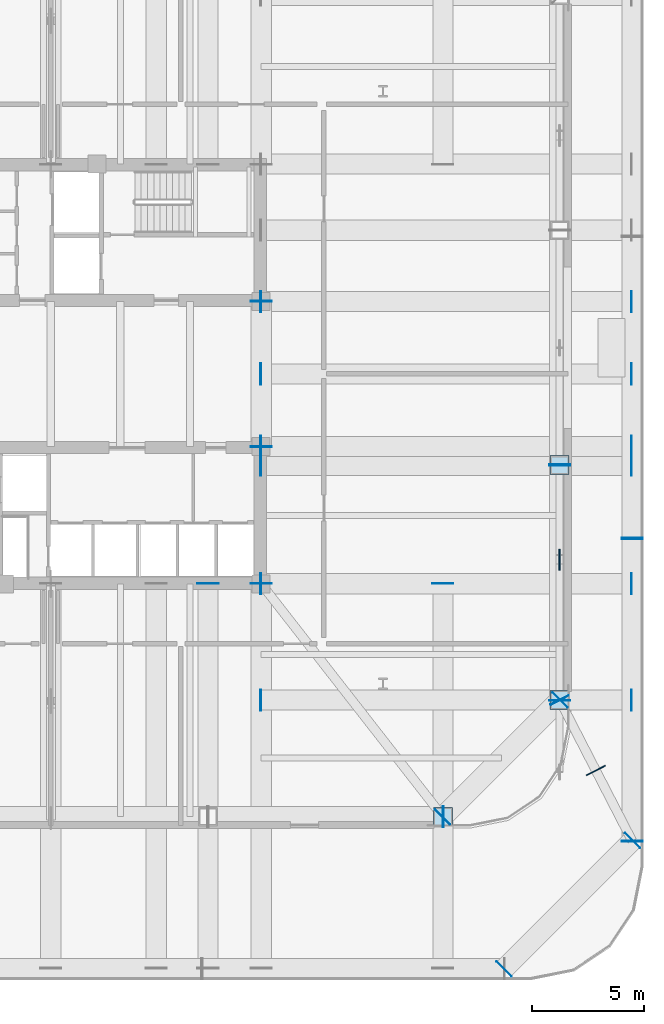
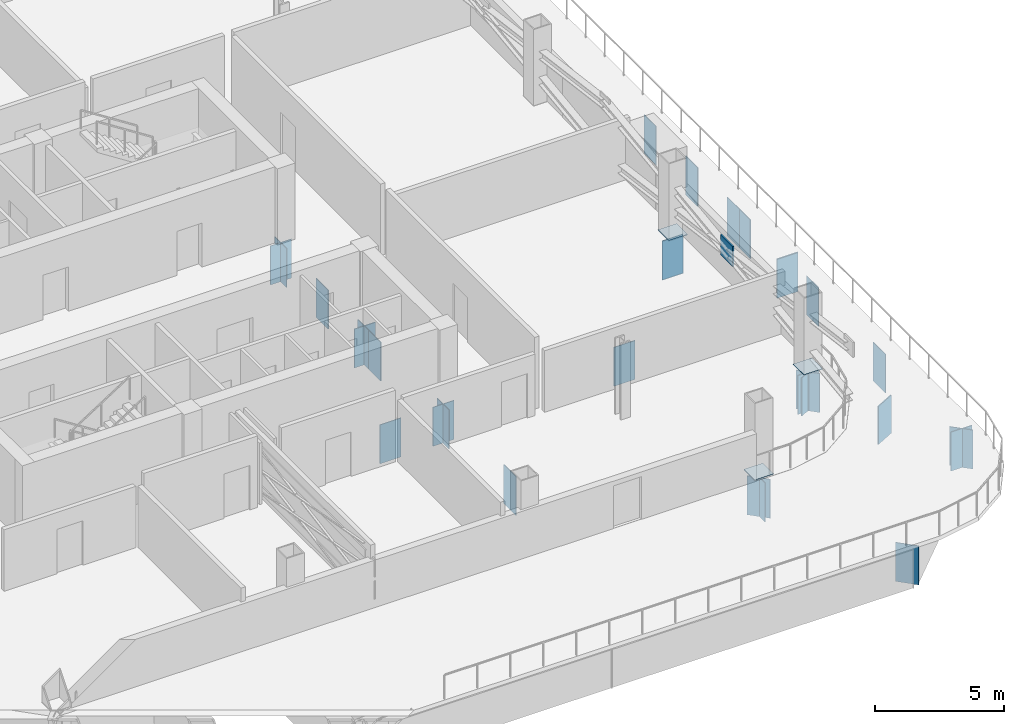
# One storey, part 6 of 16: 34 plates.
"""IFC4 building model written with IfcOpenShell, lengths in metres."""

from ifc_helpers import new_model, si_unit, direction, frame, origin, origin_2d, place, context, subcontext, project, spatial, rectangle, extrude, material, layer, layer_set, type_object, element, save


model = new_model("IFC4")

# Units and contexts
model_context = context("Model", 3, precision=1e-05, world=origin(), true_north=direction((0.0, 1.0)))
body_context = subcontext(model_context, "Body", "Model", "MODEL_VIEW")
ifc_project = project(units=[si_unit("LENGTHUNIT", "METRE"), si_unit("AREAUNIT", "SQUARE_METRE"), si_unit("VOLUMEUNIT", "CUBIC_METRE"), si_unit("PLANEANGLEUNIT", "RADIAN"), si_unit("MASSUNIT", "GRAM", prefix="KILO")], contexts=[model_context])

# Site, building, storey
site_placement = place(None, origin())
site = spatial("IfcSite", under=ifc_project, at=site_placement, CompositionType="ELEMENT")
building_placement = place(site_placement, origin())
building = spatial("IfcBuilding", under=site, at=building_placement, Name="Qhalaya Broadcast Tower", CompositionType="ELEMENT")
storey_placement = place(building_placement, frame((0.0, 0.0, 57.89990234375)))
storey = spatial("IfcBuildingStorey", under=building, at=storey_placement, Name="L16", CompositionType="ELEMENT", Elevation=57.89990234375)

# Plates
ifc_material = material(Name="Structural Steel ASTM A572 Grade 50", Category="steel")
ifc_layer_1 = layer(ifc_material, 0.4599609375, Name="Structural Steel ASTM A572 Grade 50")
ifc_layer_set_1 = layer_set([ifc_layer_1], Name="Structural Steel ASTM A572 Grade 50")
plate_type_1 = type_object("IfcPlateType", Name="Hollow Box Member End Cap Plate CP-01", PredefinedType="USERDEFINED", material=ifc_layer_set_1)
for number, where, z_axis, x_axis, name in (
    (1, (17.486083984375, -19.1298828125, -2.10009765625), (0.0, 0.0, 1.0), (0.0, 1.0, 0.0), "L16 Hollow Girder End Cap L16-SPR-03-B"),
    (2, (17.458740234375, -19.141357421875, -2.10009765625), (0.0, 0.0, 1.0), (-0.707106781187, 0.707106781187, 0.0), "L16 Hollow Girder End Cap L16-SPR-04-A"),
    (3, (22.681396484375, -13.918701171875, -2.10009765625), (0.0, 0.0, 1.0), (-0.707106781187, 0.707106781187, 0.0), "L16 Hollow Girder End Cap L16-SPR-04-B"),
    (4, (22.669921875, -13.946044921875, -2.10009765625), (0.0, 0.0, 1.0), (-1.0, 0.0, 0.0), "L16 Hollow Girder End Cap L16-SPR-05-A"),
    (5, (22.669921875, -3.447265625, -2.10009765625), (0.0, 0.0, 1.0), (-1.0, 0.0, 0.0), "L16 Hollow Girder End Cap L16-SPR-05-B"),
    (6, (22.669921875, -3.479248046875, -2.10009765625), (0.0, 0.0, 1.0), (-1.0, 0.0, 0.0), "L16 Hollow Girder End Cap L16-SPR-06-A"),
    (7, (20.188720703125, -25.911376953125, -2.10009765625), (0.0, 0.0, 1.0), (-0.707106781187, 0.707106781187, 0.0), "L16 Hollow Girder End Cap L16-TGL-04-A"),
    (8, (25.911376953125, -20.188720703125, -2.10009765625), (0.0, 0.0, 1.0), (-0.707106781187, 0.707106781187, 0.0), "L16 Hollow Girder End Cap L16-TGL-04-B"),
    (9, (25.89990234375, -20.216064453125, -2.10009765625), (0.0, 0.0, 1.0), (-1.0, 0.0, 0.0), "L16 Hollow Girder End Cap L16-TGL-05-A"),
    (10, (25.89990234375, -6.71728515625, -2.10009765625), (0.0, 0.0, 1.0), (-1.0, 0.0, 0.0), "L16 Hollow Girder End Cap L16-TGL-05-B"),
    (11, (25.89990234375, -6.749267578125, -2.10009765625), (0.0, 0.0, 1.0), (-1.0, 0.0, 0.0), "L16 Hollow Girder End Cap L16-TGL-06-A"),
    (12, (9.35888671875, 0.60009765625, -2.10009765625), (0.0, 0.0, 1.0), (0.0, 1.0, 0.0), "L16 Hollow Girder End Cap L16-TGIYE-1-A"),
    (13, (25.8759765625, 0.60009765625, -2.10009765625), (0.0, 0.0, 1.0), (0.0, 1.0, 0.0), "L16 Hollow Girder End Cap L16-TGIYE-1-B"),
    (14, (9.375, -8.73388671875, -2.10009765625), (0.0, 0.0, 1.0), (-1.0, 0.0, 0.0), "L16 Hollow Girder End Cap L16-TGISE-1-B"),
    (15, (9.375, -2.64111328125, -2.10009765625), (0.0, 0.0, 1.0), (-1.0, 0.0, 0.0), "L16 Hollow Girder End Cap L16-TGIME-1-A"),
    (16, (9.375, 3.841064453125, -2.10009765625), (0.0, 0.0, 1.0), (-1.0, 0.0, 0.0), "L16 Hollow Girder End Cap L16-TGIME-1-B"),
    (17, (9.35888671875, -8.75, -2.10009765625), (0.0, 0.0, 1.0), (0.0, 1.0, 0.0), "L16 Hollow Girder End Cap L16-TGIY1E-1-A"),
    (18, (25.8759765625, -8.75, -2.10009765625), (0.0, 0.0, 1.0), (0.0, 1.0, 0.0), "L16 Hollow Girder End Cap L16-TGIY1E-1-B"),
    (19, (9.35888671875, -2.625, -2.10009765625), (0.0, 0.0, 1.0), (0.0, 1.0, 0.0), "L16 Hollow Girder End Cap L16-TGIY2E-1-A"),
    (20, (25.8759765625, -2.625, -2.10009765625), (0.0, 0.0, 1.0), (0.0, 1.0, 0.0), "L16 Hollow Girder End Cap L16-TGIY2E-1-B"),
    (21, (9.35888671875, 3.824951171875, -2.10009765625), (0.0, 0.0, 1.0), (0.0, 1.0, 0.0), "L16 Hollow Girder End Cap L16-TGIY3E-1-A"),
    (22, (25.8759765625, 3.824951171875, -2.10009765625), (0.0, 0.0, 1.0), (0.0, 1.0, 0.0), "L16 Hollow Girder End Cap L16-TGIY3E-1-B"),
    (23, (7.00341796875, -8.73388671875, -2.10009765625), (0.0, 0.0, 1.0), (-1.0, 0.0, 0.0), "L16 Hollow Girder End Cap L16-TGC-03-B"),
    (24, (17.469970703125, -8.73388671875, -2.10009765625), (0.0, 0.0, 1.0), (-1.0, 0.0, 0.0), "L16 Hollow Girder End Cap L16-TGC-04-B"),
    (25, (9.35888671875, -13.929931640625, -2.10009765625), (0.0, 0.0, 1.0), (0.0, 1.0, 0.0), "L16 Hollow Girder End Cap L16-TGC-05-A"),
    (26, (25.8759765625, -13.929931640625, -2.10009765625), (0.0, 0.0, 1.0), (0.0, 1.0, 0.0), "L16 Hollow Girder End Cap L16-TGC-05-B"),
):
    element("IfcPlate", number, at=place(storey_placement, frame(where, z_axis=z_axis, x_axis=x_axis)), inside=storey, type_object=plate_type_1, Name=name, ObjectType="COVER_PLATE", PredefinedType="USERDEFINED", context=body_context, shape_type="SweptSolid", body=[
        extrude(rectangle(XDim=0.93994140625, YDim=0.031982421875, at=origin_2d()), origin(), (0.0, 0.0, 1.0), 1.840087890625),
    ])
plate_1_placement = place(storey_placement, frame((22.669921875, -13.929931640625, -2.080078125), z_axis=(0.0, 0.0, 1.0), x_axis=(-0.888977181064, -0.457951494755, 0.0)))
element("IfcPlate", 27, at=plate_1_placement, inside=storey, type_object=plate_type_1, Name="L16 Transfer Box End Cap 05", ObjectType="COVER_PLATE", PredefinedType="USERDEFINED", context=body_context, shape_type="SweptSolid", body=[
    extrude(rectangle(XDim=0.919921875, YDim=0.035888671875, at=origin_2d()), origin(), (0.0, 0.0, 1.0), 1.800048828125),
])
for number, where, z_axis, x_axis, name in (
    (28, (9.35888671875, -3.46337890625, -2.10009765625), (0.0, 0.0, 1.0), (0.0, 1.0, 0.0), "L16 Hollow Girder End Cap L16-TGC-06-A"),
    (29, (25.8759765625, -3.46337890625, -2.10009765625), (0.0, 0.0, 1.0), (0.0, 1.0, 0.0), "L16 Hollow Girder End Cap L16-TGC-06-B"),
):
    element("IfcPlate", number, at=place(storey_placement, frame(where, z_axis=z_axis, x_axis=x_axis)), inside=storey, type_object=plate_type_1, Name=name, ObjectType="COVER_PLATE", PredefinedType="USERDEFINED", context=body_context, shape_type="SweptSolid", body=[
        extrude(rectangle(XDim=0.93994140625, YDim=0.031982421875, at=origin_2d()), origin(), (0.0, 0.0, 1.0), 1.840087890625),
    ])
for number, where, z_axis, x_axis, name in (
    (30, (17.469970703125, -19.1298828125, -0.03173828125), (0.0, 0.0, 1.0), (1.0, 0.0, 0.0), "L16 Hollow Box Column Base Cap Plate COL-NK04"),
    (31, (22.669921875, -13.929931640625, -0.03173828125), (0.0, 0.0, 1.0), (0.0, 1.0, 0.0), "L16 Hollow Box Column Base Cap Plate COL-NK05"),
    (32, (22.669921875, -3.46337890625, -0.03173828125), (0.0, 0.0, 1.0), (0.0, 1.0, 0.0), "L16 Hollow Box Column Base Cap Plate COL-NK06"),
):
    element("IfcPlate", number, at=place(storey_placement, frame(where, z_axis=z_axis, x_axis=x_axis)), inside=storey, type_object=plate_type_1, Name=name, ObjectType="COVER_PLATE", PredefinedType="USERDEFINED", context=body_context, shape_type="SweptSolid", body=[
        extrude(rectangle(XDim=0.840087890625, YDim=0.840087890625, at=origin_2d()), origin(), (0.0, 0.0, 1.0), 0.031982421875),
    ])
ifc_layer_2 = layer(ifc_material, 0.06005859375, Name="Structural Steel ASTM A572 Grade 50")
ifc_layer_set_2 = layer_set([ifc_layer_2], Name="Structural Steel ASTM A572 Grade 50")
plate_type_2 = type_object("IfcPlateType", Name="Outrigger Core Embed Gusset Plate NP-02", PredefinedType="USERDEFINED", material=ifc_layer_set_2)
plate_2_placement = place(storey_placement, frame((22.669921875, -7.679931640625, 1.21533203125), z_axis=(0.0, 0.0, 1.0), x_axis=(0.0, 1.0, 0.0)))
element("IfcPlate", 33, at=plate_2_placement, inside=storey, type_object=plate_type_2, Name="L16 Belt Truss X-Crossing Gusset E1", ObjectType="GUSSET_PLATE", PredefinedType="USERDEFINED", context=body_context, shape_type="SweptSolid", body=[
    extrude(rectangle(XDim=0.949951171875, YDim=0.06005859375, at=origin_2d()), origin(), (0.0, 0.0, 1.0), 0.949951171875),
])
ifc_layer_3 = layer(ifc_material, 0.044921875, Name="Structural Steel ASTM A572 Grade 50")
ifc_layer_set_3 = layer_set([ifc_layer_3], Name="Structural Steel ASTM A572 Grade 50")
plate_type_3 = type_object("IfcPlateType", Name="Transfer Girder Web Stiffener Plate WS-01", PredefinedType="USERDEFINED", material=ifc_layer_set_3)
plate_3_placement = place(storey_placement, frame((24.284912109375, -17.06494140625, -2.080078125), z_axis=(0.0, 0.0, 1.0), x_axis=(-0.888977181064, -0.457951494755, 0.0)))
element("IfcPlate", 34, at=plate_3_placement, inside=storey, type_object=plate_type_3, Name="L16 Transfer Girder Stiffener 05", ObjectType="STIFFENER_PLATE", PredefinedType="USERDEFINED", context=body_context, shape_type="SweptSolid", body=[
    extrude(rectangle(XDim=0.93994140625, YDim=0.044921875, at=origin_2d()), origin(), (0.0, 0.0, 1.0), 1.800048828125),
])

save(model, "model.ifc")
